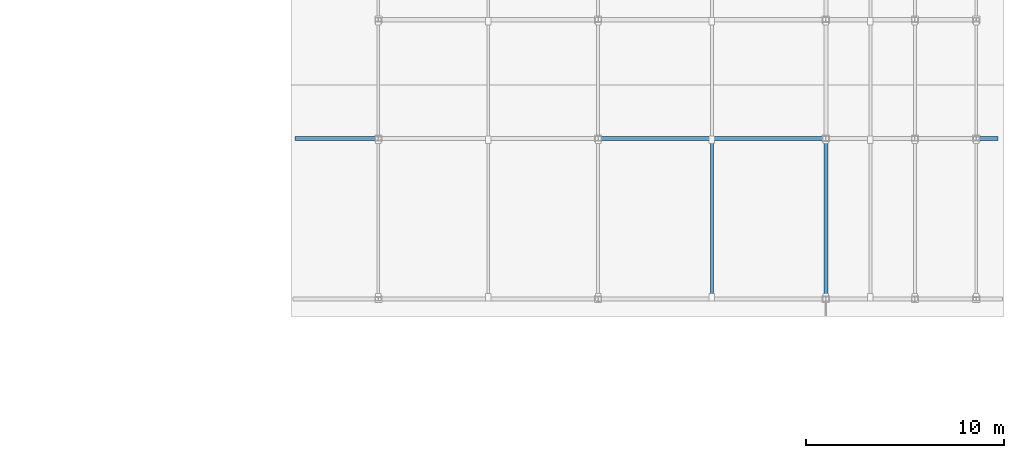
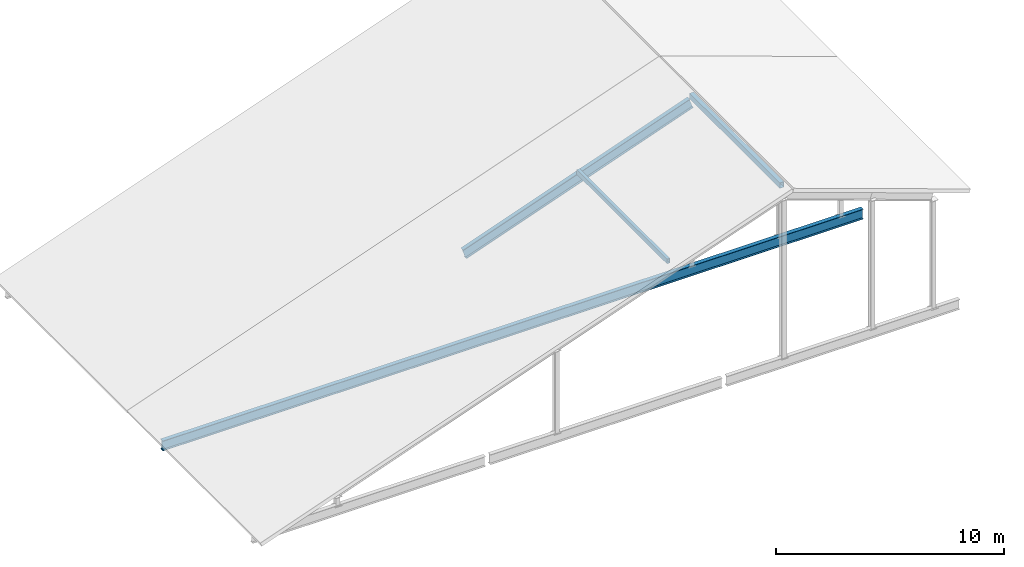
# One storey, part 29 of 42: 2 beams, 2 members.
"""IFC4 building model written with IfcOpenShell, lengths in metres."""

from ifc_helpers import new_model, si_unit, direction, frame, origin, origin_2d, place, context, subcontext, project, spatial, hollow_rectangle, i_section, extrude, material, material_profile, profile_set, type_object, element, save


model = new_model("IFC4")

# Units and contexts
model_context = context("Model", 3, precision=1e-05, world=origin(), true_north=direction((0.0, 1.0)))
body_context = subcontext(model_context, "Body", "Model", "MODEL_VIEW")
ifc_project = project(units=[si_unit("LENGTHUNIT", "METRE"), si_unit("AREAUNIT", "SQUARE_METRE"), si_unit("VOLUMEUNIT", "CUBIC_METRE"), si_unit("PLANEANGLEUNIT", "RADIAN"), si_unit("MASSUNIT", "GRAM", prefix="KILO")], contexts=[model_context])

# Site, building, storey
site_placement = place(None, origin())
site = spatial("IfcSite", under=ifc_project, at=site_placement, CompositionType="ELEMENT")
building_placement = place(site_placement, origin())
building = spatial("IfcBuilding", under=site, at=building_placement, Name="Kelmvaro Bay Concert Hall", CompositionType="ELEMENT")
storey_placement = place(building_placement, frame((0.0, 0.0, 26.699951171875)))
storey = spatial("IfcBuildingStorey", under=building, at=storey_placement, Name="RF", CompositionType="ELEMENT", Elevation=26.699951171875)

# Members
ifc_material_1 = material(Name="Steel ASTM A500 Grade C", Category="steel")
ifc_material_profile_1 = material_profile(ifc_material_1, hollow_rectangle(XDim=0.14990234375, YDim=0.25, WallThickness=0.010009765625, at=origin_2d()), Name="HSS250X150X10")
ifc_profile_set_1 = profile_set([ifc_material_profile_1], Name="Steel ASTM A500 Grade C")
member_type_1 = type_object("IfcMemberType", Name="Crystal Roof Mid Purlin HSS250x150x10", PredefinedType="PURLIN", material=ifc_profile_set_1)
member_1_placement = place(storey_placement, frame((153.25, 74.784912109375, -1.32666015625), z_axis=(0.0, 1.0, 0.0), x_axis=(-1.0, 0.0, 0.0)))
element("IfcMember", 1, at=member_1_placement, inside=storey, type_object=member_type_1, Name="V2 Crystal Roof Purlin 042", PredefinedType="PURLIN", context=body_context, shape_type="SweptSolid", body=[
    extrude(hollow_rectangle(XDim=0.14990234375, YDim=0.25, WallThickness=0.010009765625, at=origin_2d()), origin(), (0.0, 0.0, 1.0), 7.93017578125),
])
ifc_material_2 = material(Name="Steel ASTM A500 Grade C", Category="steel")
ifc_material_profile_2 = material_profile(ifc_material_2, hollow_rectangle(XDim=0.199951171875, YDim=0.300048828125, WallThickness=0.012451171875, at=origin_2d()), Name="HSS300X200X12")
ifc_profile_set_2 = profile_set([ifc_material_profile_2], Name="Steel ASTM A500 Grade C")
member_type_2 = type_object("IfcMemberType", Name="Crystal Roof Ridge Purlin HSS300x200x12", PredefinedType="PURLIN", material=ifc_profile_set_2)
member_2_placement = place(storey_placement, frame((159.0, 74.784912109375, 0.734375), z_axis=(0.0, 1.0, 0.0), x_axis=(-1.0, 0.0, 0.0)))
element("IfcMember", 2, at=member_2_placement, inside=storey, type_object=member_type_2, Name="V2 Crystal Roof Purlin 045", PredefinedType="PURLIN", context=body_context, shape_type="SweptSolid", body=[
    extrude(hollow_rectangle(XDim=0.199951171875, YDim=0.300048828125, WallThickness=0.012451171875, at=origin_2d()), origin(), (0.0, 0.0, 1.0), 7.93017578125),
])

# Beams
ifc_material_3 = material(Name="Steel ASTM A992 Grade 50", Category="steel")
ifc_material_profile_3 = material_profile(ifc_material_3, i_section(OverallWidth=0.2119140625, OverallDepth=0.5439453125, WebThickness=0.01318359375, FlangeThickness=0.021240234375, at=origin_2d()), Name="W21X83")
ifc_profile_set_3 = profile_set([ifc_material_profile_3], Name="Steel ASTM A992 Grade 50")
beam_type_1 = type_object("IfcBeamType", Name="Crystal Roof Sloped Rafter W21x83", PredefinedType="BEAM", material=ifc_profile_set_3)
beam_1_placement = place(storey_placement, frame((147.5, 82.800048828125, -3.755859375), z_axis=(0.942644017665, 0.0, 0.333799724326), x_axis=(0.0, 1.0, 0.0)))
element("IfcBeam", 3, at=beam_1_placement, inside=storey, type_object=beam_type_1, Name="V2 Crystal Roof Rafter 033", PredefinedType="BEAM", context=body_context, shape_type="SweptSolid", body=[
    extrude(i_section(OverallWidth=0.2119140625, OverallDepth=0.5439453125, WebThickness=0.01318359375, FlangeThickness=0.021240234375, at=origin_2d()), origin(), (0.0, 0.0, 1.0), 12.19970703125),
])
ifc_material_4 = material(Name="Steel ASTM A992 Grade 50", Category="steel")
ifc_material_profile_4 = material_profile(ifc_material_4, i_section(OverallWidth=0.2099609375, OverallDepth=0.535888671875, WebThickness=0.010986328125, FlangeThickness=0.017333984375, at=origin_2d()), Name="W21X68")
ifc_profile_set_4 = profile_set([ifc_material_profile_4], Name="Steel ASTM A992 Grade 50")
beam_type_2 = type_object("IfcBeamType", Name="Crystal Roof Tie Girder W21x68", PredefinedType="BEAM", material=ifc_profile_set_4)
beam_2_placement = place(storey_placement, frame((132.200439453125, 82.800048828125, -8.66796875), z_axis=(1.0, 0.0, 0.0), x_axis=(0.0, 1.0, 0.0)))
element("IfcBeam", 4, at=beam_2_placement, inside=storey, type_object=beam_type_2, Name="V2 Crystal Roof Tie Girder 031", PredefinedType="BEAM", context=body_context, shape_type="SweptSolid", body=[
    extrude(i_section(OverallWidth=0.2099609375, OverallDepth=0.535888671875, WebThickness=0.010986328125, FlangeThickness=0.017333984375, at=origin_2d()), origin(), (0.0, 0.0, 1.0), 35.49951171875),
])

save(model, "model.ifc")
